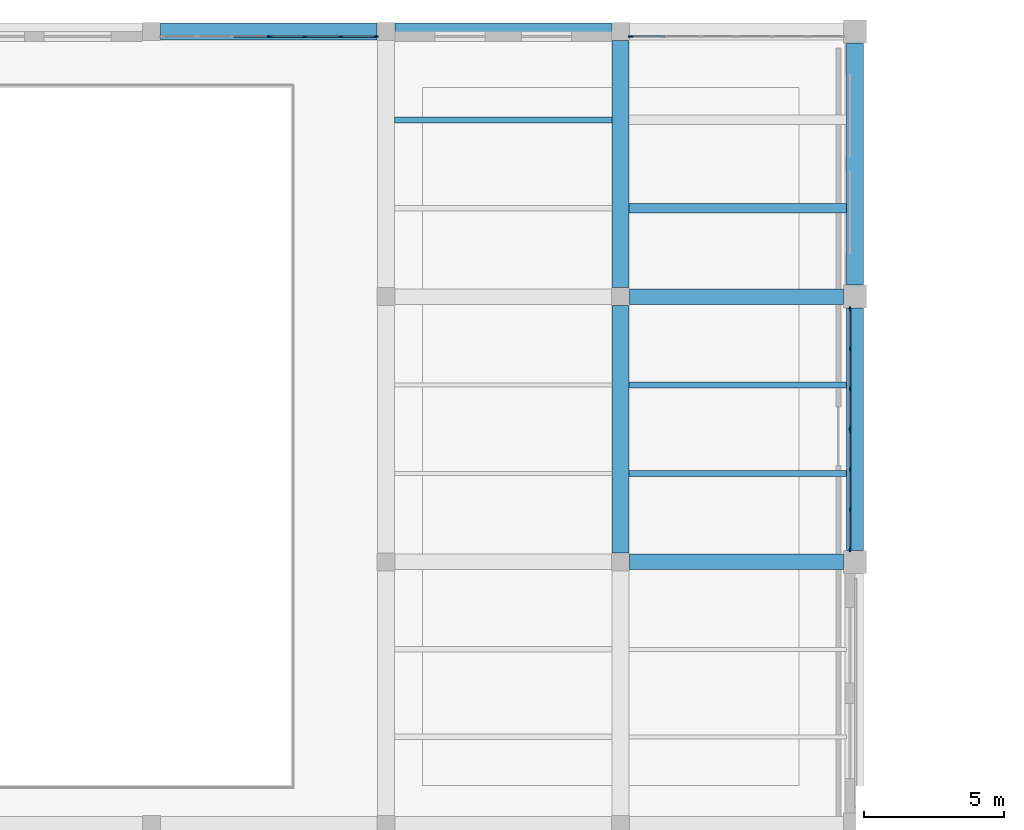
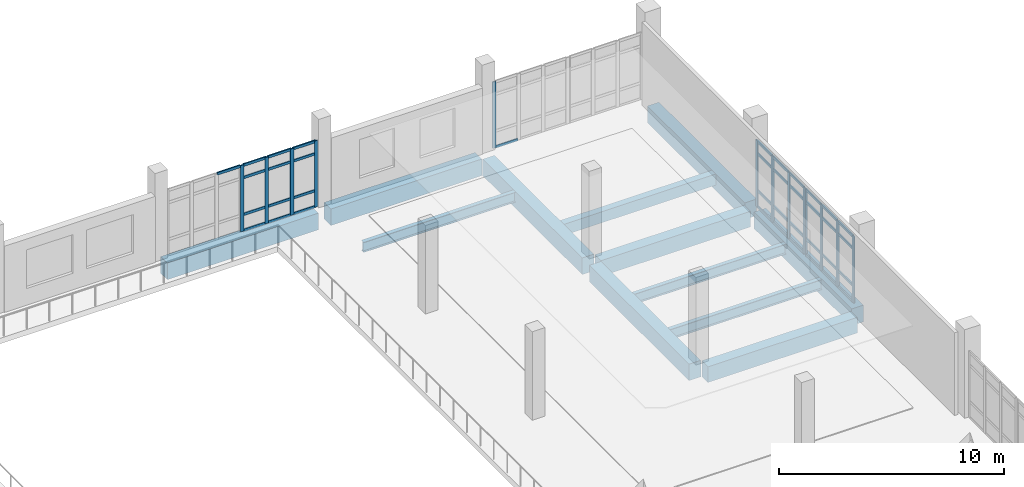
# One storey, part 23 of 73: 51 members, 12 beams, 5 elements without a shape of their own.
"""IFC4 building model written with IfcOpenShell, lengths in metres."""

from ifc_helpers import new_model, si_unit, direction, frame, origin, origin_2d, place, context, subcontext, project, spatial, rectangle, i_section, extrude, material, layer, layer_set, material_profile, profile_set, type_object, element, aggregate, save


model = new_model("IFC4")

# Units and contexts
model_context = context("Model", 3, precision=1e-05, world=origin(), true_north=direction((0.0, 1.0)))
body_context = subcontext(model_context, "Body", "Model", "MODEL_VIEW")
ifc_project = project(units=[si_unit("LENGTHUNIT", "METRE"), si_unit("AREAUNIT", "SQUARE_METRE"), si_unit("VOLUMEUNIT", "CUBIC_METRE"), si_unit("PLANEANGLEUNIT", "RADIAN"), si_unit("MASSUNIT", "GRAM", prefix="KILO")], contexts=[model_context])

# Site, building, storey
site_placement = place(None, origin())
site = spatial("IfcSite", under=ifc_project, at=site_placement, CompositionType="ELEMENT")
building_placement = place(site_placement, origin())
building = spatial("IfcBuilding", under=site, at=building_placement, Name="Kelarvand Opera House", CompositionType="ELEMENT")
storey_placement = place(building_placement, frame((0.0, 0.0, 10.199951171875)))
storey = spatial("IfcBuildingStorey", under=building, at=storey_placement, Name="L02", CompositionType="ELEMENT", Elevation=10.199951171875)

# Curtain wall, members
ifc_material_1 = material(Name="Thermally broken aluminium and low-E glazing", Category="aluminium")
ifc_layer_1 = layer(ifc_material_1, 0.179931640625, Name="Thermally broken aluminium and low-E glazing", Category="aluminium")
ifc_layer_set_1 = layer_set([ifc_layer_1], Name="Thermally broken aluminium and low-E glazing")
curtain_wall_type_1 = type_object("IfcCurtainWallType", Name="Unitised Low-E Curtain Wall 4326x3600 Mod 1350 CWF-15", PredefinedType="USERDEFINED", material=ifc_layer_set_1)
curtain_wall_1_placement = place(storey_placement, origin())
curtain_wall_1 = element("IfcCurtainWall", 1, at=curtain_wall_1_placement, inside=storey, type_object=curtain_wall_type_1, Name="V3 L02 Curtain Wall CWF-15 (67)", ObjectType="UNITISED CURTAIN WALL", PredefinedType="USERDEFINED")
ifc_material_2 = material(Name="Thermally broken anodised aluminium", Category="aluminium")
ifc_material_profile_1 = material_profile(ifc_material_2, rectangle(XDim=0.06494140625, YDim=0.179931640625, at=origin_2d()), Name="ALU MULLION 65x180", Category="aluminium")
ifc_profile_set_1 = profile_set([ifc_material_profile_1], Name="Thermally broken anodised aluminium")
member_type_1 = type_object("IfcMemberType", Name="Curtain Wall Mullion 65x180 Aluminium", PredefinedType="MULLION", material=ifc_profile_set_1)
member_1_placement = place(storey_placement, frame((50.820068359375, 115.047607421875, 0.0), z_axis=(0.0, 0.0, 1.0), x_axis=(1.0, 0.0, 0.0)))
member_1 = element("IfcMember", 2, at=member_1_placement, type_object=member_type_1, Name="CWF-15 mullion 1", PredefinedType="MULLION", context=body_context, shape_type="SweptSolid", body=[
    extrude(rectangle(XDim=0.06494140625, YDim=0.179931640625, at=origin_2d()), origin(), (0.0, 0.0, 1.0), 3.60009765625),
])
member_2_placement = place(storey_placement, frame((50.820068359375, 113.637939453125, 0.0), z_axis=(0.0, 0.0, 1.0), x_axis=(1.0, 0.0, 0.0)))
member_2 = element("IfcMember", 3, at=member_2_placement, type_object=member_type_1, Name="CWF-15 mullion 2", PredefinedType="MULLION", context=body_context, shape_type="SweptSolid", body=[
    extrude(rectangle(XDim=0.06494140625, YDim=0.179931640625, at=origin_2d()), origin(), (0.0, 0.0, 1.0), 3.60009765625),
])
member_3_placement = place(storey_placement, frame((50.820068359375, 112.196044921875, 0.0), z_axis=(0.0, 0.0, 1.0), x_axis=(1.0, 0.0, 0.0)))
member_3 = element("IfcMember", 4, at=member_3_placement, type_object=member_type_1, Name="CWF-15 mullion 3", PredefinedType="MULLION", context=body_context, shape_type="SweptSolid", body=[
    extrude(rectangle(XDim=0.06494140625, YDim=0.179931640625, at=origin_2d()), origin(), (0.0, 0.0, 1.0), 3.60009765625),
])
member_4_placement = place(storey_placement, frame((50.820068359375, 110.78662109375, 0.0), z_axis=(0.0, 0.0, 1.0), x_axis=(1.0, 0.0, 0.0)))
member_4 = element("IfcMember", 5, at=member_4_placement, type_object=member_type_1, Name="CWF-15 mullion 4", PredefinedType="MULLION", context=body_context, shape_type="SweptSolid", body=[
    extrude(rectangle(XDim=0.06494140625, YDim=0.179931640625, at=origin_2d()), origin(), (0.0, 0.0, 1.0), 3.60009765625),
])

curtain_wall_2_placement = place(storey_placement, origin())
curtain_wall_2 = element("IfcCurtainWall", 6, at=curtain_wall_2_placement, inside=storey, type_object=curtain_wall_type_1, Name="V3 L02 Curtain Wall CWF-15 (68)", ObjectType="UNITISED CURTAIN WALL", PredefinedType="USERDEFINED")
member_5_placement = place(storey_placement, frame((50.820068359375, 110.717529296875, 0.0), z_axis=(0.0, 0.0, 1.0), x_axis=(1.0, 0.0, 0.0)))
member_5 = element("IfcMember", 7, at=member_5_placement, type_object=member_type_1, Name="CWF-15 mullion 1", PredefinedType="MULLION", context=body_context, shape_type="SweptSolid", body=[
    extrude(rectangle(XDim=0.06494140625, YDim=0.179931640625, at=origin_2d()), origin(), (0.0, 0.0, 1.0), 3.60009765625),
])
member_6_placement = place(storey_placement, frame((50.820068359375, 109.306640625, 0.0), z_axis=(0.0, 0.0, 1.0), x_axis=(1.0, 0.0, 0.0)))
member_6 = element("IfcMember", 8, at=member_6_placement, type_object=member_type_1, Name="CWF-15 mullion 2", PredefinedType="MULLION", context=body_context, shape_type="SweptSolid", body=[
    extrude(rectangle(XDim=0.06494140625, YDim=0.179931640625, at=origin_2d()), origin(), (0.0, 0.0, 1.0), 3.60009765625),
])
member_7_placement = place(storey_placement, frame((50.820068359375, 107.86328125, 0.0), z_axis=(0.0, 0.0, 1.0), x_axis=(1.0, 0.0, 0.0)))
member_7 = element("IfcMember", 9, at=member_7_placement, type_object=member_type_1, Name="CWF-15 mullion 3", PredefinedType="MULLION", context=body_context, shape_type="SweptSolid", body=[
    extrude(rectangle(XDim=0.06494140625, YDim=0.179931640625, at=origin_2d()), origin(), (0.0, 0.0, 1.0), 3.60009765625),
])
member_8_placement = place(storey_placement, frame((50.820068359375, 106.452392578125, 0.0), z_axis=(0.0, 0.0, 1.0), x_axis=(1.0, 0.0, 0.0)))
member_8 = element("IfcMember", 10, at=member_8_placement, type_object=member_type_1, Name="CWF-15 mullion 4", PredefinedType="MULLION", context=body_context, shape_type="SweptSolid", body=[
    extrude(rectangle(XDim=0.06494140625, YDim=0.179931640625, at=origin_2d()), origin(), (0.0, 0.0, 1.0), 3.60009765625),
])

ifc_layer_2 = layer(ifc_material_1, 0.179931640625, Name="Thermally broken aluminium and low-E glazing", Category="aluminium")
ifc_layer_set_2 = layer_set([ifc_layer_2], Name="Thermally broken aluminium and low-E glazing")
curtain_wall_type_2 = type_object("IfcCurtainWallType", Name="Unitised Low-E Curtain Wall 3861x3600 Mod 1350 CWF-17", PredefinedType="USERDEFINED", material=ifc_layer_set_2)
curtain_wall_3_placement = place(storey_placement, origin())
curtain_wall_3 = element("IfcCurtainWall", 11, at=curtain_wall_3_placement, inside=storey, type_object=curtain_wall_type_2, Name="V3 L02 Curtain Wall CWF-17 (74)", ObjectType="UNITISED CURTAIN WALL", PredefinedType="USERDEFINED")
member_9_placement = place(storey_placement, frame((30.032470703125, 124.820068359375, 0.0), z_axis=(0.0, 0.0, 1.0), x_axis=(0.0, 1.0, 0.0)))
member_9 = element("IfcMember", 12, at=member_9_placement, type_object=member_type_1, Name="CWF-17 mullion 1", PredefinedType="MULLION", context=body_context, shape_type="SweptSolid", body=[
    extrude(rectangle(XDim=0.06494140625, YDim=0.179931640625, at=origin_2d()), origin(), (0.0, 0.0, 1.0), 3.60009765625),
])
member_10_placement = place(storey_placement, frame((31.288330078125, 124.820068359375, 0.0), z_axis=(0.0, 0.0, 1.0), x_axis=(0.0, 1.0, 0.0)))
member_10 = element("IfcMember", 13, at=member_10_placement, type_object=member_type_1, Name="CWF-17 mullion 2", PredefinedType="MULLION", context=body_context, shape_type="SweptSolid", body=[
    extrude(rectangle(XDim=0.06494140625, YDim=0.179931640625, at=origin_2d()), origin(), (0.0, 0.0, 1.0), 3.60009765625),
])
member_11_placement = place(storey_placement, frame((32.57666015625, 124.820068359375, 0.0), z_axis=(0.0, 0.0, 1.0), x_axis=(0.0, 1.0, 0.0)))
member_11 = element("IfcMember", 14, at=member_11_placement, type_object=member_type_1, Name="CWF-17 mullion 3", PredefinedType="MULLION", context=body_context, shape_type="SweptSolid", body=[
    extrude(rectangle(XDim=0.06494140625, YDim=0.179931640625, at=origin_2d()), origin(), (0.0, 0.0, 1.0), 3.60009765625),
])
member_12_placement = place(storey_placement, frame((33.83251953125, 124.820068359375, 0.0), z_axis=(0.0, 0.0, 1.0), x_axis=(0.0, 1.0, 0.0)))
member_12 = element("IfcMember", 15, at=member_12_placement, type_object=member_type_1, Name="CWF-17 mullion 4", PredefinedType="MULLION", context=body_context, shape_type="SweptSolid", body=[
    extrude(rectangle(XDim=0.06494140625, YDim=0.179931640625, at=origin_2d()), origin(), (0.0, 0.0, 1.0), 3.60009765625),
])

# Curtain wall, member
ifc_layer_3 = layer(ifc_material_1, 0.179931640625, Name="Thermally broken aluminium and low-E glazing", Category="aluminium")
ifc_layer_set_3 = layer_set([ifc_layer_3], Name="Thermally broken aluminium and low-E glazing")
curtain_wall_type_3 = type_object("IfcCurtainWallType", Name="Unitised Low-E Curtain Wall 3818x3600 Mod 1350 CWF-18", PredefinedType="USERDEFINED", material=ifc_layer_set_3)
curtain_wall_4_placement = place(storey_placement, origin())
curtain_wall_4 = element("IfcCurtainWall", 16, at=curtain_wall_4_placement, inside=storey, type_object=curtain_wall_type_3, Name="V3 L02 Curtain Wall CWF-18 (75)", ObjectType="UNITISED CURTAIN WALL", PredefinedType="USERDEFINED")
member_13_placement = place(storey_placement, frame((42.967529296875, 124.820068359375, 0.0), z_axis=(0.0, 0.0, 1.0), x_axis=(0.0, 1.0, 0.0)))
member_13 = element("IfcMember", 17, at=member_13_placement, type_object=member_type_1, Name="CWF-18 mullion 1", PredefinedType="MULLION", context=body_context, shape_type="SweptSolid", body=[
    extrude(rectangle(XDim=0.06494140625, YDim=0.179931640625, at=origin_2d()), origin(), (0.0, 0.0, 1.0), 3.60009765625),
])

# Member
ifc_material_profile_2 = material_profile(ifc_material_2, rectangle(XDim=0.06494140625, YDim=0.139892578125, at=origin_2d()), Name="ALU TRANSOM 65x140", Category="aluminium")
ifc_profile_set_2 = profile_set([ifc_material_profile_2], Name="Thermally broken anodised aluminium")
member_type_2 = type_object("IfcMemberType", Name="Curtain Wall Transom 65x140 Aluminium", PredefinedType="USERDEFINED", material=ifc_profile_set_2)
member_14_placement = place(storey_placement, frame((50.820068359375, 115.014892578125, 0.032470703125), z_axis=(0.0, -1.0, 0.0), x_axis=(1.0, 0.0, 0.0)))
member_14 = element("IfcMember", 18, at=member_14_placement, type_object=member_type_2, Name="CWF-15 transom 1.1", ObjectType="TRANSOM", PredefinedType="USERDEFINED", context=body_context, shape_type="SweptSolid", body=[
    extrude(rectangle(XDim=0.06494140625, YDim=0.139892578125, at=origin_2d()), origin(), (0.0, 0.0, 1.0), 1.344482421875),
])

member_15_placement = place(storey_placement, frame((50.820068359375, 115.014892578125, 0.900146484375), z_axis=(0.0, -1.0, 0.0), x_axis=(1.0, 0.0, 0.0)))
member_15 = element("IfcMember", 19, at=member_15_placement, type_object=member_type_2, Name="CWF-15 transom 1.2", ObjectType="TRANSOM", PredefinedType="USERDEFINED", context=body_context, shape_type="SweptSolid", body=[
    extrude(rectangle(XDim=0.06494140625, YDim=0.139892578125, at=origin_2d()), origin(), (0.0, 0.0, 1.0), 1.344482421875),
])

member_16_placement = place(storey_placement, frame((50.820068359375, 115.014892578125, 2.900146484375), z_axis=(0.0, -1.0, 0.0), x_axis=(1.0, 0.0, 0.0)))
member_16 = element("IfcMember", 20, at=member_16_placement, type_object=member_type_2, Name="CWF-15 transom 1.3", ObjectType="TRANSOM", PredefinedType="USERDEFINED", context=body_context, shape_type="SweptSolid", body=[
    extrude(rectangle(XDim=0.06494140625, YDim=0.139892578125, at=origin_2d()), origin(), (0.0, 0.0, 1.0), 1.344482421875),
])

member_17_placement = place(storey_placement, frame((50.820068359375, 115.014892578125, 3.567626953125), z_axis=(0.0, -1.0, 0.0), x_axis=(1.0, 0.0, 0.0)))
member_17 = element("IfcMember", 21, at=member_17_placement, type_object=member_type_2, Name="CWF-15 transom 1.4", ObjectType="TRANSOM", PredefinedType="USERDEFINED", context=body_context, shape_type="SweptSolid", body=[
    extrude(rectangle(XDim=0.06494140625, YDim=0.139892578125, at=origin_2d()), origin(), (0.0, 0.0, 1.0), 1.344482421875),
])

member_18_placement = place(storey_placement, frame((50.820068359375, 113.60546875, 0.032470703125), z_axis=(0.0, -1.0, 0.0), x_axis=(1.0, 0.0, 0.0)))
member_18 = element("IfcMember", 22, at=member_18_placement, type_object=member_type_2, Name="CWF-15 transom 2.1", ObjectType="TRANSOM", PredefinedType="USERDEFINED", context=body_context, shape_type="SweptSolid", body=[
    extrude(rectangle(XDim=0.06494140625, YDim=0.139892578125, at=origin_2d()), origin(), (0.0, 0.0, 1.0), 1.376953125),
])

member_19_placement = place(storey_placement, frame((50.820068359375, 113.60546875, 0.900146484375), z_axis=(0.0, -1.0, 0.0), x_axis=(1.0, 0.0, 0.0)))
member_19 = element("IfcMember", 23, at=member_19_placement, type_object=member_type_2, Name="CWF-15 transom 2.2", ObjectType="TRANSOM", PredefinedType="USERDEFINED", context=body_context, shape_type="SweptSolid", body=[
    extrude(rectangle(XDim=0.06494140625, YDim=0.139892578125, at=origin_2d()), origin(), (0.0, 0.0, 1.0), 1.376953125),
])

member_20_placement = place(storey_placement, frame((50.820068359375, 113.60546875, 2.900146484375), z_axis=(0.0, -1.0, 0.0), x_axis=(1.0, 0.0, 0.0)))
member_20 = element("IfcMember", 24, at=member_20_placement, type_object=member_type_2, Name="CWF-15 transom 2.3", ObjectType="TRANSOM", PredefinedType="USERDEFINED", context=body_context, shape_type="SweptSolid", body=[
    extrude(rectangle(XDim=0.06494140625, YDim=0.139892578125, at=origin_2d()), origin(), (0.0, 0.0, 1.0), 1.376953125),
])

member_21_placement = place(storey_placement, frame((50.820068359375, 113.60546875, 3.567626953125), z_axis=(0.0, -1.0, 0.0), x_axis=(1.0, 0.0, 0.0)))
member_21 = element("IfcMember", 25, at=member_21_placement, type_object=member_type_2, Name="CWF-15 transom 2.4", ObjectType="TRANSOM", PredefinedType="USERDEFINED", context=body_context, shape_type="SweptSolid", body=[
    extrude(rectangle(XDim=0.06494140625, YDim=0.139892578125, at=origin_2d()), origin(), (0.0, 0.0, 1.0), 1.376953125),
])

member_22_placement = place(storey_placement, frame((50.820068359375, 112.16357421875, 0.032470703125), z_axis=(0.0, -1.0, 0.0), x_axis=(1.0, 0.0, 0.0)))
member_22 = element("IfcMember", 26, at=member_22_placement, type_object=member_type_2, Name="CWF-15 transom 3.1", ObjectType="TRANSOM", PredefinedType="USERDEFINED", context=body_context, shape_type="SweptSolid", body=[
    extrude(rectangle(XDim=0.06494140625, YDim=0.139892578125, at=origin_2d()), origin(), (0.0, 0.0, 1.0), 1.344482421875),
])

member_23_placement = place(storey_placement, frame((50.820068359375, 112.16357421875, 0.900146484375), z_axis=(0.0, -1.0, 0.0), x_axis=(1.0, 0.0, 0.0)))
member_23 = element("IfcMember", 27, at=member_23_placement, type_object=member_type_2, Name="CWF-15 transom 3.2", ObjectType="TRANSOM", PredefinedType="USERDEFINED", context=body_context, shape_type="SweptSolid", body=[
    extrude(rectangle(XDim=0.06494140625, YDim=0.139892578125, at=origin_2d()), origin(), (0.0, 0.0, 1.0), 1.344482421875),
])

member_24_placement = place(storey_placement, frame((50.820068359375, 112.16357421875, 2.900146484375), z_axis=(0.0, -1.0, 0.0), x_axis=(1.0, 0.0, 0.0)))
member_24 = element("IfcMember", 28, at=member_24_placement, type_object=member_type_2, Name="CWF-15 transom 3.3", ObjectType="TRANSOM", PredefinedType="USERDEFINED", context=body_context, shape_type="SweptSolid", body=[
    extrude(rectangle(XDim=0.06494140625, YDim=0.139892578125, at=origin_2d()), origin(), (0.0, 0.0, 1.0), 1.344482421875),
])

member_25_placement = place(storey_placement, frame((50.820068359375, 112.16357421875, 3.567626953125), z_axis=(0.0, -1.0, 0.0), x_axis=(1.0, 0.0, 0.0)))
member_25 = element("IfcMember", 29, at=member_25_placement, type_object=member_type_2, Name="CWF-15 transom 3.4", ObjectType="TRANSOM", PredefinedType="USERDEFINED", context=body_context, shape_type="SweptSolid", body=[
    extrude(rectangle(XDim=0.06494140625, YDim=0.139892578125, at=origin_2d()), origin(), (0.0, 0.0, 1.0), 1.344482421875),
])

aggregate(curtain_wall_1, [member_1, member_2, member_3, member_4, member_14, member_15, member_16, member_17, member_18, member_19, member_20, member_21, member_22, member_23, member_24, member_25])

member_26_placement = place(storey_placement, frame((50.820068359375, 110.68505859375, 0.032470703125), z_axis=(0.0, -1.0, 0.0), x_axis=(1.0, 0.0, 0.0)))
member_26 = element("IfcMember", 30, at=member_26_placement, type_object=member_type_2, Name="CWF-15 transom 1.1", ObjectType="TRANSOM", PredefinedType="USERDEFINED", context=body_context, shape_type="SweptSolid", body=[
    extrude(rectangle(XDim=0.06494140625, YDim=0.139892578125, at=origin_2d()), origin(), (0.0, 0.0, 1.0), 1.345947265625),
])

member_27_placement = place(storey_placement, frame((50.820068359375, 110.68505859375, 0.900146484375), z_axis=(0.0, -1.0, 0.0), x_axis=(1.0, 0.0, 0.0)))
member_27 = element("IfcMember", 31, at=member_27_placement, type_object=member_type_2, Name="CWF-15 transom 1.2", ObjectType="TRANSOM", PredefinedType="USERDEFINED", context=body_context, shape_type="SweptSolid", body=[
    extrude(rectangle(XDim=0.06494140625, YDim=0.139892578125, at=origin_2d()), origin(), (0.0, 0.0, 1.0), 1.345947265625),
])

member_28_placement = place(storey_placement, frame((50.820068359375, 110.68505859375, 2.900146484375), z_axis=(0.0, -1.0, 0.0), x_axis=(1.0, 0.0, 0.0)))
member_28 = element("IfcMember", 32, at=member_28_placement, type_object=member_type_2, Name="CWF-15 transom 1.3", ObjectType="TRANSOM", PredefinedType="USERDEFINED", context=body_context, shape_type="SweptSolid", body=[
    extrude(rectangle(XDim=0.06494140625, YDim=0.139892578125, at=origin_2d()), origin(), (0.0, 0.0, 1.0), 1.345947265625),
])

member_29_placement = place(storey_placement, frame((50.820068359375, 110.68505859375, 3.567626953125), z_axis=(0.0, -1.0, 0.0), x_axis=(1.0, 0.0, 0.0)))
member_29 = element("IfcMember", 33, at=member_29_placement, type_object=member_type_2, Name="CWF-15 transom 1.4", ObjectType="TRANSOM", PredefinedType="USERDEFINED", context=body_context, shape_type="SweptSolid", body=[
    extrude(rectangle(XDim=0.06494140625, YDim=0.139892578125, at=origin_2d()), origin(), (0.0, 0.0, 1.0), 1.345947265625),
])

member_30_placement = place(storey_placement, frame((50.820068359375, 109.274169921875, 0.032470703125), z_axis=(0.0, -1.0, 0.0), x_axis=(1.0, 0.0, 0.0)))
member_30 = element("IfcMember", 34, at=member_30_placement, type_object=member_type_2, Name="CWF-15 transom 2.1", ObjectType="TRANSOM", PredefinedType="USERDEFINED", context=body_context, shape_type="SweptSolid", body=[
    extrude(rectangle(XDim=0.06494140625, YDim=0.139892578125, at=origin_2d()), origin(), (0.0, 0.0, 1.0), 1.37841796875),
])

member_31_placement = place(storey_placement, frame((50.820068359375, 109.274169921875, 0.900146484375), z_axis=(0.0, -1.0, 0.0), x_axis=(1.0, 0.0, 0.0)))
member_31 = element("IfcMember", 35, at=member_31_placement, type_object=member_type_2, Name="CWF-15 transom 2.2", ObjectType="TRANSOM", PredefinedType="USERDEFINED", context=body_context, shape_type="SweptSolid", body=[
    extrude(rectangle(XDim=0.06494140625, YDim=0.139892578125, at=origin_2d()), origin(), (0.0, 0.0, 1.0), 1.37841796875),
])

member_32_placement = place(storey_placement, frame((50.820068359375, 109.274169921875, 2.900146484375), z_axis=(0.0, -1.0, 0.0), x_axis=(1.0, 0.0, 0.0)))
member_32 = element("IfcMember", 36, at=member_32_placement, type_object=member_type_2, Name="CWF-15 transom 2.3", ObjectType="TRANSOM", PredefinedType="USERDEFINED", context=body_context, shape_type="SweptSolid", body=[
    extrude(rectangle(XDim=0.06494140625, YDim=0.139892578125, at=origin_2d()), origin(), (0.0, 0.0, 1.0), 1.37841796875),
])

member_33_placement = place(storey_placement, frame((50.820068359375, 109.274169921875, 3.567626953125), z_axis=(0.0, -1.0, 0.0), x_axis=(1.0, 0.0, 0.0)))
member_33 = element("IfcMember", 37, at=member_33_placement, type_object=member_type_2, Name="CWF-15 transom 2.4", ObjectType="TRANSOM", PredefinedType="USERDEFINED", context=body_context, shape_type="SweptSolid", body=[
    extrude(rectangle(XDim=0.06494140625, YDim=0.139892578125, at=origin_2d()), origin(), (0.0, 0.0, 1.0), 1.37841796875),
])

member_34_placement = place(storey_placement, frame((50.820068359375, 107.830810546875, 0.032470703125), z_axis=(0.0, -1.0, 0.0), x_axis=(1.0, 0.0, 0.0)))
member_34 = element("IfcMember", 38, at=member_34_placement, type_object=member_type_2, Name="CWF-15 transom 3.1", ObjectType="TRANSOM", PredefinedType="USERDEFINED", context=body_context, shape_type="SweptSolid", body=[
    extrude(rectangle(XDim=0.06494140625, YDim=0.139892578125, at=origin_2d()), origin(), (0.0, 0.0, 1.0), 1.345703125),
])

member_35_placement = place(storey_placement, frame((50.820068359375, 107.830810546875, 0.900146484375), z_axis=(0.0, -1.0, 0.0), x_axis=(1.0, 0.0, 0.0)))
member_35 = element("IfcMember", 39, at=member_35_placement, type_object=member_type_2, Name="CWF-15 transom 3.2", ObjectType="TRANSOM", PredefinedType="USERDEFINED", context=body_context, shape_type="SweptSolid", body=[
    extrude(rectangle(XDim=0.06494140625, YDim=0.139892578125, at=origin_2d()), origin(), (0.0, 0.0, 1.0), 1.345703125),
])

member_36_placement = place(storey_placement, frame((50.820068359375, 107.830810546875, 2.900146484375), z_axis=(0.0, -1.0, 0.0), x_axis=(1.0, 0.0, 0.0)))
member_36 = element("IfcMember", 40, at=member_36_placement, type_object=member_type_2, Name="CWF-15 transom 3.3", ObjectType="TRANSOM", PredefinedType="USERDEFINED", context=body_context, shape_type="SweptSolid", body=[
    extrude(rectangle(XDim=0.06494140625, YDim=0.139892578125, at=origin_2d()), origin(), (0.0, 0.0, 1.0), 1.345703125),
])

member_37_placement = place(storey_placement, frame((50.820068359375, 107.830810546875, 3.567626953125), z_axis=(0.0, -1.0, 0.0), x_axis=(1.0, 0.0, 0.0)))
member_37 = element("IfcMember", 41, at=member_37_placement, type_object=member_type_2, Name="CWF-15 transom 3.4", ObjectType="TRANSOM", PredefinedType="USERDEFINED", context=body_context, shape_type="SweptSolid", body=[
    extrude(rectangle(XDim=0.06494140625, YDim=0.139892578125, at=origin_2d()), origin(), (0.0, 0.0, 1.0), 1.345703125),
])

aggregate(curtain_wall_2, [member_5, member_6, member_7, member_8, member_26, member_27, member_28, member_29, member_30, member_31, member_32, member_33, member_34, member_35, member_36, member_37])

# Curtain wall, member
curtain_wall_5_placement = place(storey_placement, origin())
curtain_wall_5 = element("IfcCurtainWall", 42, at=curtain_wall_5_placement, inside=storey, type_object=curtain_wall_type_2, Name="V3 L02 Curtain Wall CWF-17 (73)", ObjectType="UNITISED CURTAIN WALL", PredefinedType="USERDEFINED")
member_38_placement = place(storey_placement, frame((28.741455078125, 124.820068359375, 3.567626953125), z_axis=(1.0, 0.0, 0.0), x_axis=(0.0, 1.0, 0.0)))
member_38 = element("IfcMember", 43, at=member_38_placement, type_object=member_type_2, Name="CWF-17 transom 3.4", ObjectType="TRANSOM", PredefinedType="USERDEFINED", context=body_context, shape_type="SweptSolid", body=[
    extrude(rectangle(XDim=0.06494140625, YDim=0.139892578125, at=origin_2d()), origin(), (0.0, 0.0, 1.0), 1.189453125),
])
aggregate(curtain_wall_5, [member_38])

# Member
member_39_placement = place(storey_placement, frame((30.06494140625, 124.820068359375, 0.032470703125), z_axis=(1.0, 0.0, 0.0), x_axis=(0.0, 1.0, 0.0)))
member_39 = element("IfcMember", 44, at=member_39_placement, type_object=member_type_2, Name="CWF-17 transom 1.1", ObjectType="TRANSOM", PredefinedType="USERDEFINED", context=body_context, shape_type="SweptSolid", body=[
    extrude(rectangle(XDim=0.06494140625, YDim=0.139892578125, at=origin_2d()), origin(), (0.0, 0.0, 1.0), 1.19091796875),
])

member_40_placement = place(storey_placement, frame((30.06494140625, 124.820068359375, 0.900146484375), z_axis=(1.0, 0.0, 0.0), x_axis=(0.0, 1.0, 0.0)))
member_40 = element("IfcMember", 45, at=member_40_placement, type_object=member_type_2, Name="CWF-17 transom 1.2", ObjectType="TRANSOM", PredefinedType="USERDEFINED", context=body_context, shape_type="SweptSolid", body=[
    extrude(rectangle(XDim=0.06494140625, YDim=0.139892578125, at=origin_2d()), origin(), (0.0, 0.0, 1.0), 1.19091796875),
])

member_41_placement = place(storey_placement, frame((30.06494140625, 124.820068359375, 2.900146484375), z_axis=(1.0, 0.0, 0.0), x_axis=(0.0, 1.0, 0.0)))
member_41 = element("IfcMember", 46, at=member_41_placement, type_object=member_type_2, Name="CWF-17 transom 1.3", ObjectType="TRANSOM", PredefinedType="USERDEFINED", context=body_context, shape_type="SweptSolid", body=[
    extrude(rectangle(XDim=0.06494140625, YDim=0.139892578125, at=origin_2d()), origin(), (0.0, 0.0, 1.0), 1.19091796875),
])

member_42_placement = place(storey_placement, frame((30.06494140625, 124.820068359375, 3.567626953125), z_axis=(1.0, 0.0, 0.0), x_axis=(0.0, 1.0, 0.0)))
member_42 = element("IfcMember", 47, at=member_42_placement, type_object=member_type_2, Name="CWF-17 transom 1.4", ObjectType="TRANSOM", PredefinedType="USERDEFINED", context=body_context, shape_type="SweptSolid", body=[
    extrude(rectangle(XDim=0.06494140625, YDim=0.139892578125, at=origin_2d()), origin(), (0.0, 0.0, 1.0), 1.19091796875),
])

member_43_placement = place(storey_placement, frame((31.32080078125, 124.820068359375, 0.032470703125), z_axis=(1.0, 0.0, 0.0), x_axis=(0.0, 1.0, 0.0)))
member_43 = element("IfcMember", 48, at=member_43_placement, type_object=member_type_2, Name="CWF-17 transom 2.1", ObjectType="TRANSOM", PredefinedType="USERDEFINED", context=body_context, shape_type="SweptSolid", body=[
    extrude(rectangle(XDim=0.06494140625, YDim=0.139892578125, at=origin_2d()), origin(), (0.0, 0.0, 1.0), 1.223388671875),
])

member_44_placement = place(storey_placement, frame((31.32080078125, 124.820068359375, 0.900146484375), z_axis=(1.0, 0.0, 0.0), x_axis=(0.0, 1.0, 0.0)))
member_44 = element("IfcMember", 49, at=member_44_placement, type_object=member_type_2, Name="CWF-17 transom 2.2", ObjectType="TRANSOM", PredefinedType="USERDEFINED", context=body_context, shape_type="SweptSolid", body=[
    extrude(rectangle(XDim=0.06494140625, YDim=0.139892578125, at=origin_2d()), origin(), (0.0, 0.0, 1.0), 1.223388671875),
])

member_45_placement = place(storey_placement, frame((31.32080078125, 124.820068359375, 2.900146484375), z_axis=(1.0, 0.0, 0.0), x_axis=(0.0, 1.0, 0.0)))
member_45 = element("IfcMember", 50, at=member_45_placement, type_object=member_type_2, Name="CWF-17 transom 2.3", ObjectType="TRANSOM", PredefinedType="USERDEFINED", context=body_context, shape_type="SweptSolid", body=[
    extrude(rectangle(XDim=0.06494140625, YDim=0.139892578125, at=origin_2d()), origin(), (0.0, 0.0, 1.0), 1.223388671875),
])

member_46_placement = place(storey_placement, frame((31.32080078125, 124.820068359375, 3.567626953125), z_axis=(1.0, 0.0, 0.0), x_axis=(0.0, 1.0, 0.0)))
member_46 = element("IfcMember", 51, at=member_46_placement, type_object=member_type_2, Name="CWF-17 transom 2.4", ObjectType="TRANSOM", PredefinedType="USERDEFINED", context=body_context, shape_type="SweptSolid", body=[
    extrude(rectangle(XDim=0.06494140625, YDim=0.139892578125, at=origin_2d()), origin(), (0.0, 0.0, 1.0), 1.223388671875),
])

member_47_placement = place(storey_placement, frame((32.609130859375, 124.820068359375, 0.032470703125), z_axis=(1.0, 0.0, 0.0), x_axis=(0.0, 1.0, 0.0)))
member_47 = element("IfcMember", 52, at=member_47_placement, type_object=member_type_2, Name="CWF-17 transom 3.1", ObjectType="TRANSOM", PredefinedType="USERDEFINED", context=body_context, shape_type="SweptSolid", body=[
    extrude(rectangle(XDim=0.06494140625, YDim=0.139892578125, at=origin_2d()), origin(), (0.0, 0.0, 1.0), 1.19091796875),
])

member_48_placement = place(storey_placement, frame((32.609130859375, 124.820068359375, 0.900146484375), z_axis=(1.0, 0.0, 0.0), x_axis=(0.0, 1.0, 0.0)))
member_48 = element("IfcMember", 53, at=member_48_placement, type_object=member_type_2, Name="CWF-17 transom 3.2", ObjectType="TRANSOM", PredefinedType="USERDEFINED", context=body_context, shape_type="SweptSolid", body=[
    extrude(rectangle(XDim=0.06494140625, YDim=0.139892578125, at=origin_2d()), origin(), (0.0, 0.0, 1.0), 1.19091796875),
])

member_49_placement = place(storey_placement, frame((32.609130859375, 124.820068359375, 2.900146484375), z_axis=(1.0, 0.0, 0.0), x_axis=(0.0, 1.0, 0.0)))
member_49 = element("IfcMember", 54, at=member_49_placement, type_object=member_type_2, Name="CWF-17 transom 3.3", ObjectType="TRANSOM", PredefinedType="USERDEFINED", context=body_context, shape_type="SweptSolid", body=[
    extrude(rectangle(XDim=0.06494140625, YDim=0.139892578125, at=origin_2d()), origin(), (0.0, 0.0, 1.0), 1.19091796875),
])

member_50_placement = place(storey_placement, frame((32.609130859375, 124.820068359375, 3.567626953125), z_axis=(1.0, 0.0, 0.0), x_axis=(0.0, 1.0, 0.0)))
member_50 = element("IfcMember", 55, at=member_50_placement, type_object=member_type_2, Name="CWF-17 transom 3.4", ObjectType="TRANSOM", PredefinedType="USERDEFINED", context=body_context, shape_type="SweptSolid", body=[
    extrude(rectangle(XDim=0.06494140625, YDim=0.139892578125, at=origin_2d()), origin(), (0.0, 0.0, 1.0), 1.19091796875),
])

aggregate(curtain_wall_3, [member_9, member_10, member_11, member_12, member_39, member_40, member_41, member_42, member_43, member_44, member_45, member_46, member_47, member_48, member_49, member_50])

member_51_placement = place(storey_placement, frame((43.0, 124.820068359375, 0.032470703125), z_axis=(1.0, 0.0, 0.0), x_axis=(0.0, 1.0, 0.0)))
member_51 = element("IfcMember", 56, at=member_51_placement, type_object=member_type_2, Name="CWF-18 transom 1.1", ObjectType="TRANSOM", PredefinedType="USERDEFINED", context=body_context, shape_type="SweptSolid", body=[
    extrude(rectangle(XDim=0.06494140625, YDim=0.139892578125, at=origin_2d()), origin(), (0.0, 0.0, 1.0), 1.17529296875),
])

aggregate(curtain_wall_4, [member_13, member_51])

# Beams
ifc_material_3 = material(Name="Concrete C35/45", Category="concrete")
ifc_material_profile_3 = material_profile(ifc_material_3, rectangle(XDim=0.35009765625, YDim=0.60009765625, at=origin_2d()), Name="RC 350x600", Category="concrete")
ifc_profile_set_3 = profile_set([ifc_material_profile_3], Name="Concrete C35/45")
beam_type_1 = type_object("IfcBeamType", Name="Structural Beam RC 350x600 BM-RC350x600", PredefinedType="BEAM", material=ifc_profile_set_3)
beam_placement = place(storey_placement, frame((42.89990234375, 118.666748046875, -0.599853515625), z_axis=(1.0, 0.0, 0.0), x_axis=(0.0, 1.0, 0.0)))
element("IfcBeam", 57, at=beam_placement, inside=storey, type_object=beam_type_1, Name="V3 L02 Beam BM-RC350x600", PredefinedType="BEAM", context=body_context, shape_type="SweptSolid", body=[
    extrude(rectangle(XDim=0.35009765625, YDim=0.60009765625, at=origin_2d()), origin(), (0.0, 0.0, 1.0), 7.800048828125),
])
ifc_material_4 = material(Name="Concrete C40/50", Category="concrete")
ifc_material_profile_4 = material_profile(ifc_material_4, rectangle(XDim=0.550048828125, YDim=0.85009765625, at=origin_2d()), Name="RC 550x850", Category="concrete")
ifc_profile_set_4 = profile_set([ifc_material_profile_4], Name="Concrete C40/50")
beam_type_2 = type_object("IfcBeamType", Name="Structural Beam RC 550x850 BM-RC550x850", PredefinedType="BEAM", material=ifc_profile_set_4)
for number, where, z_axis, x_axis, name in (
    (58, (42.925048828125, 106.0, -0.724853515625), (1.0, 0.0, 0.0), (0.0, 1.0, 0.0), "V3 L02 Beam BM-RC550x850"),
    (59, (42.925048828125, 115.5, -0.724853515625), (1.0, 0.0, 0.0), (0.0, 1.0, 0.0), "V3 L02 Beam BM-RC550x850"),
):
    element("IfcBeam", number, at=place(storey_placement, frame(where, z_axis=z_axis, x_axis=x_axis)), inside=storey, type_object=beam_type_2, Name=name, PredefinedType="BEAM", context=body_context, shape_type="SweptSolid", body=[
        extrude(rectangle(XDim=0.550048828125, YDim=0.85009765625, at=origin_2d()), origin(), (0.0, 0.0, 1.0), 7.6650390625),
    ])
ifc_material_profile_5 = material_profile(ifc_material_4, rectangle(XDim=0.60009765625, YDim=0.89990234375, at=origin_2d()), Name="RC 600x900", Category="concrete")
ifc_profile_set_5 = profile_set([ifc_material_profile_5], Name="Concrete C40/50")
beam_type_3 = type_object("IfcBeamType", Name="Structural Beam RC 600x900 BM-RC600x900", PredefinedType="BEAM", material=ifc_profile_set_5)
for number, where, z_axis, x_axis, name in (
    (60, (42.60009765625, 106.324951171875, -0.75), (0.0, 1.0, 0.0), (-1.0, 0.0, 0.0), "V3 L02 Beam BM-RC600x900"),
    (61, (42.60009765625, 115.824951171875, -0.75), (0.0, 1.0, 0.0), (-1.0, 0.0, 0.0), "V3 L02 Beam BM-RC600x900"),
):
    element("IfcBeam", number, at=place(storey_placement, frame(where, z_axis=z_axis, x_axis=x_axis)), inside=storey, type_object=beam_type_3, Name=name, PredefinedType="BEAM", context=body_context, shape_type="SweptSolid", body=[
        extrude(rectangle(XDim=0.60009765625, YDim=0.89990234375, at=origin_2d()), origin(), (0.0, 0.0, 1.0), 8.85009765625),
    ])
ifc_material_5 = material(Name="Steel S355", Category="steel")
ifc_material_profile_6 = material_profile(ifc_material_5, i_section(OverallWidth=0.2099609375, OverallDepth=0.550048828125, WebThickness=0.010986328125, FlangeThickness=0.01708984375, at=origin_2d()), Name="IPE 550", Category="steel")
ifc_profile_set_6 = profile_set([ifc_material_profile_6], Name="Steel S355")
beam_type_4 = type_object("IfcBeamType", Name="Structural Joist IPE 550 JS-IPE550", PredefinedType="JOIST", material=ifc_profile_set_6)
for number, where, z_axis, x_axis, name in (
    (62, (34.5, 121.833251953125, -0.574951171875), (1.0, 0.0, 0.0), (0.0, 1.0, 0.0), "V3 L02 Beam JS-IPE550"),
    (63, (42.89990234375, 109.166748046875, -0.574951171875), (1.0, 0.0, 0.0), (0.0, 1.0, 0.0), "V3 L02 Beam JS-IPE550"),
    (64, (42.89990234375, 112.333251953125, -0.574951171875), (1.0, 0.0, 0.0), (0.0, 1.0, 0.0), "V3 L02 Beam JS-IPE550"),
):
    element("IfcBeam", number, at=place(storey_placement, frame(where, z_axis=z_axis, x_axis=x_axis)), inside=storey, type_object=beam_type_4, Name=name, PredefinedType="JOIST", context=body_context, shape_type="SweptSolid", body=[
        extrude(i_section(OverallWidth=0.2099609375, OverallDepth=0.550048828125, WebThickness=0.010986328125, FlangeThickness=0.01708984375, at=origin_2d()), origin(), (0.0, 0.0, 1.0), 7.800048828125),
    ])
ifc_material_profile_7 = material_profile(ifc_material_4, rectangle(XDim=0.60009765625, YDim=0.89990234375, at=origin_2d()), Name="RC 600x900", Category="concrete")
ifc_profile_set_7 = profile_set([ifc_material_profile_7], Name="Concrete C40/50")
beam_type_5 = type_object("IfcBeamType", Name="Structural Spandrel RC 600x900 SP-RC600x900E", PredefinedType="SPANDREL", material=ifc_profile_set_7)
for number, where, z_axis, x_axis, name in (
    (65, (26.125, 125.0, -0.75), (1.0, 0.0, 0.0), (0.0, 1.0, 0.0), "V3 L02 Beam SP-RC600x900E"),
    (66, (34.52490234375, 125.0, -0.75), (1.0, 0.0, 0.0), (0.0, 1.0, 0.0), "V3 L02 Beam SP-RC600x900E"),
):
    element("IfcBeam", number, at=place(storey_placement, frame(where, z_axis=z_axis, x_axis=x_axis)), inside=storey, type_object=beam_type_5, Name=name, PredefinedType="SPANDREL", context=body_context, shape_type="SweptSolid", body=[
        extrude(rectangle(XDim=0.60009765625, YDim=0.89990234375, at=origin_2d()), origin(), (0.0, 0.0, 1.0), 7.75),
    ])
for number, where, z_axis, x_axis, name in (
    (67, (51.0, 106.409912109375, -0.75), (0.0, 1.0, 0.0), (-1.0, 0.0, 0.0), "V3 L02 Beam SP-RC600x900E"),
    (68, (51.0, 115.909912109375, -0.75), (0.0, 1.0, 0.0), (-1.0, 0.0, 0.0), "V3 L02 Beam SP-RC600x900E"),
):
    element("IfcBeam", number, at=place(storey_placement, frame(where, z_axis=z_axis, x_axis=x_axis)), inside=storey, type_object=beam_type_5, Name=name, PredefinedType="SPANDREL", context=body_context, shape_type="SweptSolid", body=[
        extrude(rectangle(XDim=0.60009765625, YDim=0.89990234375, at=origin_2d()), origin(), (0.0, 0.0, 1.0), 8.68017578125),
    ])

save(model, "model.ifc")
